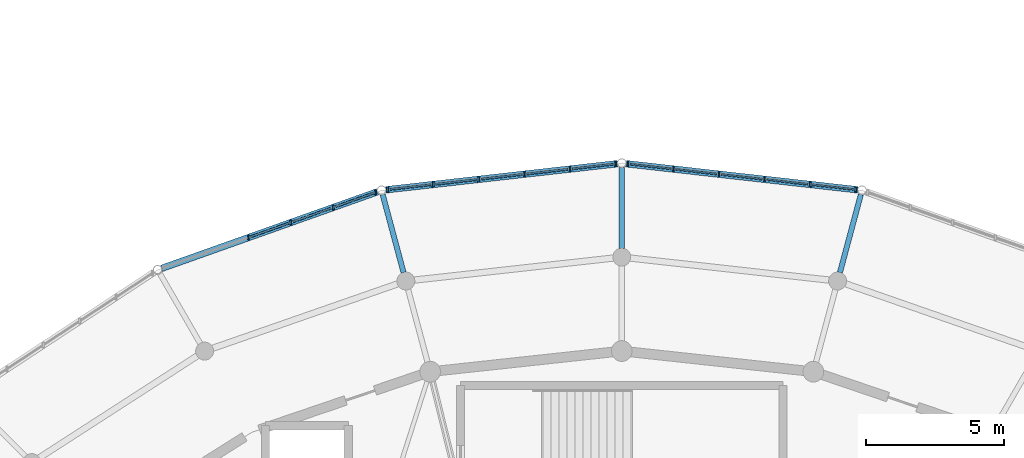
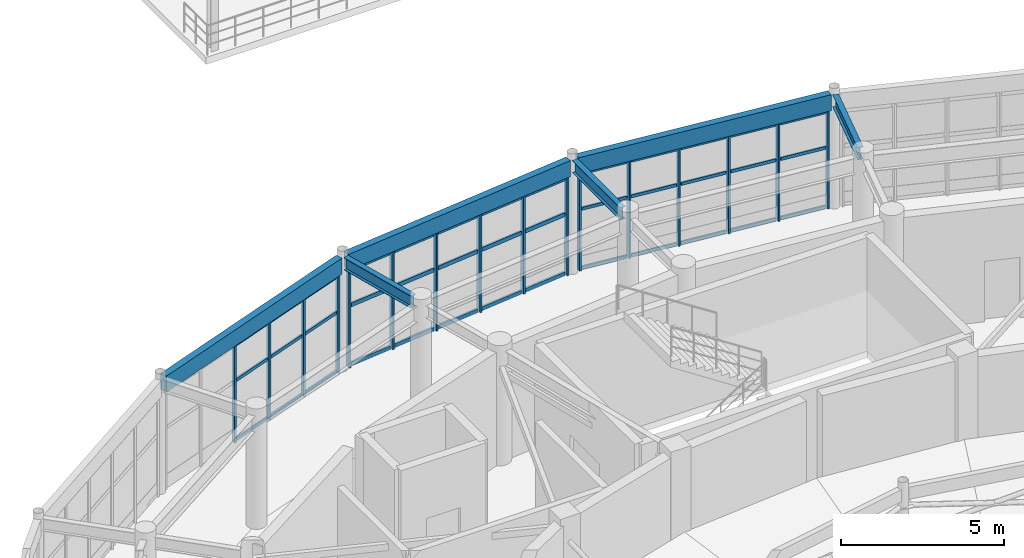
# One storey, part 52 of 112: 55 members, 6 beams, 3 elements without a shape of their own.
"""IFC4 building model written with IfcOpenShell, lengths in metres."""

from ifc_helpers import new_model, si_unit, direction, frame, origin, origin_2d, place, context, subcontext, project, spatial, rectangle, i_section, extrude, material, material_profile, profile_set, type_object, element, aggregate, save


model = new_model("IFC4")

# Units and contexts
model_context = context("Model", 3, precision=1e-05, world=origin(), true_north=direction((0.0, 1.0)))
body_context = subcontext(model_context, "Body", "Model", "MODEL_VIEW")
ifc_project = project(units=[si_unit("LENGTHUNIT", "METRE"), si_unit("AREAUNIT", "SQUARE_METRE"), si_unit("VOLUMEUNIT", "CUBIC_METRE"), si_unit("PLANEANGLEUNIT", "RADIAN"), si_unit("MASSUNIT", "GRAM", prefix="KILO")], contexts=[model_context])

# Site, building, storey
site_placement = place(None, origin())
site = spatial("IfcSite", under=ifc_project, at=site_placement, CompositionType="ELEMENT")
building_placement = place(site_placement, origin())
building = spatial("IfcBuilding", under=site, at=building_placement, Name="Cinderbank Siding Concert Hall", CompositionType="ELEMENT")
storey_placement = place(building_placement, frame((0.0, 0.0, 10.199951171875)))
storey = spatial("IfcBuildingStorey", under=building, at=storey_placement, Name="L03", CompositionType="ELEMENT", Elevation=10.199951171875)

# Beams
ifc_material_1 = material(Name="Structural steel AS/NZS 3679.1 Grade 350 (340 MPa)", Category="steel")
ifc_material_profile_1 = material_profile(ifc_material_1, i_section(OverallWidth=0.19091796875, OverallDepth=0.46044921875, WebThickness=0.010009765625, FlangeThickness=0.01611328125, at=origin_2d()), Name="460UB82.1", Category="LoadBearing")
ifc_profile_set_1 = profile_set([ifc_material_profile_1], Name="Structural steel AS/NZS 3679.1 Grade 350 (340 MPa)")
beam_type_1 = type_object("IfcBeamType", Name="BM-UB460H 460UB82.1", PredefinedType="BEAM", material=ifc_profile_set_1)
for number, where, z_axis, x_axis, name in (
    (1, (129.898193359375, 68.8408203125, 4.0517578125), (0.258897184534, 0.965904885504, 0.0), (-0.965904885504, 0.258897184534, 0.0), "L03 Beam BM-UB460H #633"),
    (2, (122.0, 69.717041015625, 4.0517578125), (0.0, 1.0, 0.0), (-1.0, 0.0, 0.0), "L03 Beam BM-UB460H #634"),
    (3, (114.101806640625, 68.8408203125, 4.0517578125), (-0.258897184534, 0.965904885504, 0.0), (-0.965904885504, -0.258897184534, 0.0), "L03 Beam BM-UB460H #635"),
):
    element("IfcBeam", number, at=place(storey_placement, frame(where, z_axis=z_axis, x_axis=x_axis)), inside=storey, type_object=beam_type_1, Name=name, PredefinedType="BEAM", context=body_context, shape_type="SweptSolid", body=[
        extrude(i_section(OverallWidth=0.19091796875, OverallDepth=0.46044921875, WebThickness=0.010009765625, FlangeThickness=0.01611328125, at=origin_2d()), origin(), (0.0, 0.0, 1.0), 2.928955078125),
    ])

# Curtain wall, members
ifc_material_2 = material(Name="Anodised aluminium alloy 6063-T6", Category="aluminium")
curtain_wall_type_1 = type_object("IfcCurtainWallType", Name="CW-06 Unitised Acoustic Curtain Wall 7600x3800", PredefinedType="NOTDEFINED", material=ifc_material_2)
curtain_wall_1_placement = place(storey_placement, origin())
curtain_wall_1 = element("IfcCurtainWall", 4, at=curtain_wall_1_placement, inside=storey, type_object=curtain_wall_type_1, Name="L03 Curtain Wall CW-06 #30", PredefinedType="NOTDEFINED")
ifc_material_profile_2 = material_profile(ifc_material_2, rectangle(XDim=0.06005859375, YDim=0.159912109375, at=origin_2d()), Name="ALU-MULL-60x160", Category="LoadBearing")
ifc_profile_set_2 = profile_set([ifc_material_profile_2], Name="Anodised aluminium alloy 6063-T6")
member_type_1 = type_object("IfcMemberType", Name="CW-ML1 Mullion 60x160", PredefinedType="MULLION", material=ifc_profile_set_2)
member_1_placement = place(storey_placement, frame((130.470703125, 71.843994140625, 0.0), z_axis=(0.0, 0.0, 1.0), x_axis=(1.0, 0.0, 0.0)))
member_1 = element("IfcMember", 5, at=member_1_placement, type_object=member_type_1, Name="CW-L03-030 Mullion 0", PredefinedType="MULLION", context=body_context, shape_type="SweptSolid", body=[
    extrude(rectangle(XDim=0.06005859375, YDim=0.159912109375, at=origin_2d()), origin(), (0.0, 0.0, 1.0), 3.6669921875),
])
member_2_placement = place(storey_placement, frame((128.82177734375, 72.0302734375, 0.0), z_axis=(0.0, 0.0, 1.0), x_axis=(1.0, 0.0, 0.0)))
member_2 = element("IfcMember", 6, at=member_2_placement, type_object=member_type_1, Name="CW-L03-030 Mullion 1", PredefinedType="MULLION", context=body_context, shape_type="SweptSolid", body=[
    extrude(rectangle(XDim=0.06005859375, YDim=0.159912109375, at=origin_2d()), origin(), (0.0, 0.0, 1.0), 3.6669921875),
])
member_3_placement = place(storey_placement, frame((127.172607421875, 72.21630859375, 0.0), z_axis=(0.0, 0.0, 1.0), x_axis=(1.0, 0.0, 0.0)))
member_3 = element("IfcMember", 7, at=member_3_placement, type_object=member_type_1, Name="CW-L03-030 Mullion 2", PredefinedType="MULLION", context=body_context, shape_type="SweptSolid", body=[
    extrude(rectangle(XDim=0.06005859375, YDim=0.159912109375, at=origin_2d()), origin(), (0.0, 0.0, 1.0), 3.6669921875),
])
member_4_placement = place(storey_placement, frame((125.523681640625, 72.40234375, 0.0), z_axis=(0.0, 0.0, 1.0), x_axis=(1.0, 0.0, 0.0)))
member_4 = element("IfcMember", 8, at=member_4_placement, type_object=member_type_1, Name="CW-L03-030 Mullion 3", PredefinedType="MULLION", context=body_context, shape_type="SweptSolid", body=[
    extrude(rectangle(XDim=0.06005859375, YDim=0.159912109375, at=origin_2d()), origin(), (0.0, 0.0, 1.0), 3.6669921875),
])
member_5_placement = place(storey_placement, frame((123.87451171875, 72.58837890625, 0.0), z_axis=(0.0, 0.0, 1.0), x_axis=(1.0, 0.0, 0.0)))
member_5 = element("IfcMember", 9, at=member_5_placement, type_object=member_type_1, Name="CW-L03-030 Mullion 4", PredefinedType="MULLION", context=body_context, shape_type="SweptSolid", body=[
    extrude(rectangle(XDim=0.06005859375, YDim=0.159912109375, at=origin_2d()), origin(), (0.0, 0.0, 1.0), 3.6669921875),
])
member_6_placement = place(storey_placement, frame((122.2255859375, 72.774658203125, 0.0), z_axis=(0.0, 0.0, 1.0), x_axis=(1.0, 0.0, 0.0)))
member_6 = element("IfcMember", 10, at=member_6_placement, type_object=member_type_1, Name="CW-L03-030 Mullion 5", PredefinedType="MULLION", context=body_context, shape_type="SweptSolid", body=[
    extrude(rectangle(XDim=0.06005859375, YDim=0.159912109375, at=origin_2d()), origin(), (0.0, 0.0, 1.0), 3.6669921875),
])

curtain_wall_type_2 = type_object("IfcCurtainWallType", Name="CW-08 Unitised Acoustic Curtain Wall 6400x3800", PredefinedType="NOTDEFINED", material=ifc_material_2)
curtain_wall_2_placement = place(storey_placement, origin())
curtain_wall_2 = element("IfcCurtainWall", 11, at=curtain_wall_2_placement, inside=storey, type_object=curtain_wall_type_2, Name="L03 Curtain Wall CW-08 #32", PredefinedType="NOTDEFINED")
member_7_placement = place(storey_placement, frame((113.08984375, 71.742919921875, 0.0), z_axis=(0.0, 0.0, 1.0), x_axis=(1.0, 0.0, 0.0)))
member_7 = element("IfcMember", 12, at=member_7_placement, type_object=member_type_1, Name="CW-L03-032 Mullion 0", PredefinedType="MULLION", context=body_context, shape_type="SweptSolid", body=[
    extrude(rectangle(XDim=0.06005859375, YDim=0.159912109375, at=origin_2d()), origin(), (0.0, 0.0, 1.0), 3.6669921875),
])
member_8_placement = place(storey_placement, frame((111.5546875, 71.19775390625, 0.0), z_axis=(0.0, 0.0, 1.0), x_axis=(1.0, 0.0, 0.0)))
member_8 = element("IfcMember", 13, at=member_8_placement, type_object=member_type_1, Name="CW-L03-032 Mullion 1", PredefinedType="MULLION", context=body_context, shape_type="SweptSolid", body=[
    extrude(rectangle(XDim=0.06005859375, YDim=0.159912109375, at=origin_2d()), origin(), (0.0, 0.0, 1.0), 3.6669921875),
])
member_9_placement = place(storey_placement, frame((110.019287109375, 70.652587890625, 0.0), z_axis=(0.0, 0.0, 1.0), x_axis=(1.0, 0.0, 0.0)))
member_9 = element("IfcMember", 14, at=member_9_placement, type_object=member_type_1, Name="CW-L03-032 Mullion 2", PredefinedType="MULLION", context=body_context, shape_type="SweptSolid", body=[
    extrude(rectangle(XDim=0.06005859375, YDim=0.159912109375, at=origin_2d()), origin(), (0.0, 0.0, 1.0), 3.6669921875),
])
member_10_placement = place(storey_placement, frame((108.484375, 70.107666015625, 0.0), z_axis=(0.0, 0.0, 1.0), x_axis=(1.0, 0.0, 0.0)))
member_10 = element("IfcMember", 15, at=member_10_placement, type_object=member_type_1, Name="CW-L03-032 Mullion 3", PredefinedType="MULLION", context=body_context, shape_type="SweptSolid", body=[
    extrude(rectangle(XDim=0.06005859375, YDim=0.159912109375, at=origin_2d()), origin(), (0.0, 0.0, 1.0), 3.6669921875),
])

curtain_wall_type_3 = type_object("IfcCurtainWallType", Name="CW-07 Unitised Acoustic Curtain Wall 7000x3800", PredefinedType="NOTDEFINED", material=ifc_material_2)
curtain_wall_3_placement = place(storey_placement, origin())
curtain_wall_3 = element("IfcCurtainWall", 16, at=curtain_wall_3_placement, inside=storey, type_object=curtain_wall_type_3, Name="L03 Curtain Wall CW-07 #31", PredefinedType="NOTDEFINED")
ifc_material_profile_3 = material_profile(ifc_material_2, rectangle(XDim=0.06494140625, YDim=0.199951171875, at=origin_2d()), Name="ALU-MULL-65x200", Category="LoadBearing")
ifc_profile_set_3 = profile_set([ifc_material_profile_3], Name="Anodised aluminium alloy 6063-T6")
member_type_2 = type_object("IfcMemberType", Name="CW-ML2 Mullion 65x200", PredefinedType="MULLION", material=ifc_profile_set_3)
member_11_placement = place(storey_placement, frame((121.7744140625, 72.774658203125, 0.0), z_axis=(0.0, 0.0, 1.0), x_axis=(1.0, 0.0, 0.0)))
member_11 = element("IfcMember", 17, at=member_11_placement, type_object=member_type_2, Name="CW-L03-031 Mullion 0", PredefinedType="MULLION", context=body_context, shape_type="SweptSolid", body=[
    extrude(rectangle(XDim=0.06494140625, YDim=0.199951171875, at=origin_2d()), origin(), (0.0, 0.0, 1.0), 3.6669921875),
])
member_12_placement = place(storey_placement, frame((120.12548828125, 72.58837890625, 0.0), z_axis=(0.0, 0.0, 1.0), x_axis=(1.0, 0.0, 0.0)))
member_12 = element("IfcMember", 18, at=member_12_placement, type_object=member_type_2, Name="CW-L03-031 Mullion 1", PredefinedType="MULLION", context=body_context, shape_type="SweptSolid", body=[
    extrude(rectangle(XDim=0.06494140625, YDim=0.199951171875, at=origin_2d()), origin(), (0.0, 0.0, 1.0), 3.6669921875),
])
member_13_placement = place(storey_placement, frame((118.476318359375, 72.40234375, 0.0), z_axis=(0.0, 0.0, 1.0), x_axis=(1.0, 0.0, 0.0)))
member_13 = element("IfcMember", 19, at=member_13_placement, type_object=member_type_2, Name="CW-L03-031 Mullion 2", PredefinedType="MULLION", context=body_context, shape_type="SweptSolid", body=[
    extrude(rectangle(XDim=0.06494140625, YDim=0.199951171875, at=origin_2d()), origin(), (0.0, 0.0, 1.0), 3.6669921875),
])
member_14_placement = place(storey_placement, frame((116.827392578125, 72.21630859375, 0.0), z_axis=(0.0, 0.0, 1.0), x_axis=(1.0, 0.0, 0.0)))
member_14 = element("IfcMember", 20, at=member_14_placement, type_object=member_type_2, Name="CW-L03-031 Mullion 3", PredefinedType="MULLION", context=body_context, shape_type="SweptSolid", body=[
    extrude(rectangle(XDim=0.06494140625, YDim=0.199951171875, at=origin_2d()), origin(), (0.0, 0.0, 1.0), 3.6669921875),
])
member_15_placement = place(storey_placement, frame((115.17822265625, 72.0302734375, 0.0), z_axis=(0.0, 0.0, 1.0), x_axis=(1.0, 0.0, 0.0)))
member_15 = element("IfcMember", 21, at=member_15_placement, type_object=member_type_2, Name="CW-L03-031 Mullion 4", PredefinedType="MULLION", context=body_context, shape_type="SweptSolid", body=[
    extrude(rectangle(XDim=0.06494140625, YDim=0.199951171875, at=origin_2d()), origin(), (0.0, 0.0, 1.0), 3.6669921875),
])
member_16_placement = place(storey_placement, frame((113.529296875, 71.843994140625, 0.0), z_axis=(0.0, 0.0, 1.0), x_axis=(1.0, 0.0, 0.0)))
member_16 = element("IfcMember", 22, at=member_16_placement, type_object=member_type_2, Name="CW-L03-031 Mullion 5", PredefinedType="MULLION", context=body_context, shape_type="SweptSolid", body=[
    extrude(rectangle(XDim=0.06494140625, YDim=0.199951171875, at=origin_2d()), origin(), (0.0, 0.0, 1.0), 3.6669921875),
])

# Member
ifc_material_profile_4 = material_profile(ifc_material_2, rectangle(XDim=0.06005859375, YDim=0.1201171875, at=origin_2d()), Name="ALU-TRAN-60x120", Category="LoadBearing")
ifc_profile_set_4 = profile_set([ifc_material_profile_4], Name="Anodised aluminium alloy 6063-T6")
member_type_3 = type_object("IfcMemberType", Name="CW-TR1 Transom 60x120", PredefinedType="USERDEFINED", material=ifc_profile_set_4)
member_17_placement = place(storey_placement, frame((130.38818359375, 71.853515625, 0.06005859375), z_axis=(-0.993690839164, 0.112153984151, 0.0), x_axis=(-0.112153984151, -0.993690839164, 0.0)))
member_17 = element("IfcMember", 23, at=member_17_placement, type_object=member_type_3, Name="CW-L03-030 Transom 0-0", ObjectType="TRANSOM", PredefinedType="USERDEFINED", context=body_context, shape_type="SweptSolid", body=[
    extrude(rectangle(XDim=0.06005859375, YDim=0.1201171875, at=origin_2d()), origin(), (0.0, 0.0, 1.0), 1.493408203125),
])

member_18_placement = place(storey_placement, frame((130.38818359375, 71.853515625, 2.2734375), z_axis=(-0.993690839164, 0.112153984151, 0.0), x_axis=(-0.112153984151, -0.993690839164, 0.0)))
member_18 = element("IfcMember", 24, at=member_18_placement, type_object=member_type_3, Name="CW-L03-030 Transom 0-1", ObjectType="TRANSOM", PredefinedType="USERDEFINED", context=body_context, shape_type="SweptSolid", body=[
    extrude(rectangle(XDim=0.06005859375, YDim=0.1201171875, at=origin_2d()), origin(), (0.0, 0.0, 1.0), 1.493408203125),
])

member_19_placement = place(storey_placement, frame((130.38818359375, 71.853515625, 3.60693359375), z_axis=(-0.993690839164, 0.112153984151, 0.0), x_axis=(-0.112153984151, -0.993690839164, 0.0)))
member_19 = element("IfcMember", 25, at=member_19_placement, type_object=member_type_3, Name="CW-L03-030 Transom 0-2", ObjectType="TRANSOM", PredefinedType="USERDEFINED", context=body_context, shape_type="SweptSolid", body=[
    extrude(rectangle(XDim=0.06005859375, YDim=0.1201171875, at=origin_2d()), origin(), (0.0, 0.0, 1.0), 1.493408203125),
])

member_20_placement = place(storey_placement, frame((128.7392578125, 72.03955078125, 0.06005859375), z_axis=(-0.993692895122, 0.112135766747, 0.0), x_axis=(-0.112135766747, -0.993692895122, 0.0)))
member_20 = element("IfcMember", 26, at=member_20_placement, type_object=member_type_3, Name="CW-L03-030 Transom 1-0", ObjectType="TRANSOM", PredefinedType="USERDEFINED", context=body_context, shape_type="SweptSolid", body=[
    extrude(rectangle(XDim=0.06005859375, YDim=0.1201171875, at=origin_2d()), origin(), (0.0, 0.0, 1.0), 1.49365234375),
])

member_21_placement = place(storey_placement, frame((128.7392578125, 72.03955078125, 2.2734375), z_axis=(-0.993692895122, 0.112135766747, 0.0), x_axis=(-0.112135766747, -0.993692895122, 0.0)))
member_21 = element("IfcMember", 27, at=member_21_placement, type_object=member_type_3, Name="CW-L03-030 Transom 1-1", ObjectType="TRANSOM", PredefinedType="USERDEFINED", context=body_context, shape_type="SweptSolid", body=[
    extrude(rectangle(XDim=0.06005859375, YDim=0.1201171875, at=origin_2d()), origin(), (0.0, 0.0, 1.0), 1.49365234375),
])

member_22_placement = place(storey_placement, frame((128.7392578125, 72.03955078125, 3.60693359375), z_axis=(-0.993692895122, 0.112135766747, 0.0), x_axis=(-0.112135766747, -0.993692895122, 0.0)))
member_22 = element("IfcMember", 28, at=member_22_placement, type_object=member_type_3, Name="CW-L03-030 Transom 1-2", ObjectType="TRANSOM", PredefinedType="USERDEFINED", context=body_context, shape_type="SweptSolid", body=[
    extrude(rectangle(XDim=0.06005859375, YDim=0.1201171875, at=origin_2d()), origin(), (0.0, 0.0, 1.0), 1.49365234375),
])

member_23_placement = place(storey_placement, frame((127.090087890625, 72.2255859375, 0.06005859375), z_axis=(-0.993690839164, 0.112153984151, 0.0), x_axis=(-0.112153984151, -0.993690839164, 0.0)))
member_23 = element("IfcMember", 29, at=member_23_placement, type_object=member_type_3, Name="CW-L03-030 Transom 2-0", ObjectType="TRANSOM", PredefinedType="USERDEFINED", context=body_context, shape_type="SweptSolid", body=[
    extrude(rectangle(XDim=0.06005859375, YDim=0.1201171875, at=origin_2d()), origin(), (0.0, 0.0, 1.0), 1.493408203125),
])

member_24_placement = place(storey_placement, frame((127.090087890625, 72.2255859375, 2.2734375), z_axis=(-0.993690839164, 0.112153984151, 0.0), x_axis=(-0.112153984151, -0.993690839164, 0.0)))
member_24 = element("IfcMember", 30, at=member_24_placement, type_object=member_type_3, Name="CW-L03-030 Transom 2-1", ObjectType="TRANSOM", PredefinedType="USERDEFINED", context=body_context, shape_type="SweptSolid", body=[
    extrude(rectangle(XDim=0.06005859375, YDim=0.1201171875, at=origin_2d()), origin(), (0.0, 0.0, 1.0), 1.493408203125),
])

member_25_placement = place(storey_placement, frame((127.090087890625, 72.2255859375, 3.60693359375), z_axis=(-0.993690839164, 0.112153984151, 0.0), x_axis=(-0.112153984151, -0.993690839164, 0.0)))
member_25 = element("IfcMember", 31, at=member_25_placement, type_object=member_type_3, Name="CW-L03-030 Transom 2-2", ObjectType="TRANSOM", PredefinedType="USERDEFINED", context=body_context, shape_type="SweptSolid", body=[
    extrude(rectangle(XDim=0.06005859375, YDim=0.1201171875, at=origin_2d()), origin(), (0.0, 0.0, 1.0), 1.493408203125),
])

member_26_placement = place(storey_placement, frame((125.441162109375, 72.41162109375, 0.06005859375), z_axis=(-0.993692895122, 0.112135766747, 0.0), x_axis=(-0.112135766747, -0.993692895122, 0.0)))
member_26 = element("IfcMember", 32, at=member_26_placement, type_object=member_type_3, Name="CW-L03-030 Transom 3-0", ObjectType="TRANSOM", PredefinedType="USERDEFINED", context=body_context, shape_type="SweptSolid", body=[
    extrude(rectangle(XDim=0.06005859375, YDim=0.1201171875, at=origin_2d()), origin(), (0.0, 0.0, 1.0), 1.49365234375),
])

member_27_placement = place(storey_placement, frame((125.441162109375, 72.41162109375, 2.2734375), z_axis=(-0.993692895122, 0.112135766747, 0.0), x_axis=(-0.112135766747, -0.993692895122, 0.0)))
member_27 = element("IfcMember", 33, at=member_27_placement, type_object=member_type_3, Name="CW-L03-030 Transom 3-1", ObjectType="TRANSOM", PredefinedType="USERDEFINED", context=body_context, shape_type="SweptSolid", body=[
    extrude(rectangle(XDim=0.06005859375, YDim=0.1201171875, at=origin_2d()), origin(), (0.0, 0.0, 1.0), 1.49365234375),
])

member_28_placement = place(storey_placement, frame((125.441162109375, 72.41162109375, 3.60693359375), z_axis=(-0.993692895122, 0.112135766747, 0.0), x_axis=(-0.112135766747, -0.993692895122, 0.0)))
member_28 = element("IfcMember", 34, at=member_28_placement, type_object=member_type_3, Name="CW-L03-030 Transom 3-2", ObjectType="TRANSOM", PredefinedType="USERDEFINED", context=body_context, shape_type="SweptSolid", body=[
    extrude(rectangle(XDim=0.06005859375, YDim=0.1201171875, at=origin_2d()), origin(), (0.0, 0.0, 1.0), 1.49365234375),
])

member_29_placement = place(storey_placement, frame((123.7919921875, 72.597900390625, 0.06005859375), z_axis=(-0.993709046729, 0.111992546398, 0.0), x_axis=(-0.111992546398, -0.993709046729, 0.0)))
member_29 = element("IfcMember", 35, at=member_29_placement, type_object=member_type_3, Name="CW-L03-030 Transom 4-0", ObjectType="TRANSOM", PredefinedType="USERDEFINED", context=body_context, shape_type="SweptSolid", body=[
    extrude(rectangle(XDim=0.06005859375, YDim=0.1201171875, at=origin_2d()), origin(), (0.0, 0.0, 1.0), 1.4931640625),
])

member_30_placement = place(storey_placement, frame((123.7919921875, 72.597900390625, 2.2734375), z_axis=(-0.993709046729, 0.111992546398, 0.0), x_axis=(-0.111992546398, -0.993709046729, 0.0)))
member_30 = element("IfcMember", 36, at=member_30_placement, type_object=member_type_3, Name="CW-L03-030 Transom 4-1", ObjectType="TRANSOM", PredefinedType="USERDEFINED", context=body_context, shape_type="SweptSolid", body=[
    extrude(rectangle(XDim=0.06005859375, YDim=0.1201171875, at=origin_2d()), origin(), (0.0, 0.0, 1.0), 1.4931640625),
])

member_31_placement = place(storey_placement, frame((123.7919921875, 72.597900390625, 3.60693359375), z_axis=(-0.993709046729, 0.111992546398, 0.0), x_axis=(-0.111992546398, -0.993709046729, 0.0)))
member_31 = element("IfcMember", 37, at=member_31_placement, type_object=member_type_3, Name="CW-L03-030 Transom 4-2", ObjectType="TRANSOM", PredefinedType="USERDEFINED", context=body_context, shape_type="SweptSolid", body=[
    extrude(rectangle(XDim=0.06005859375, YDim=0.1201171875, at=origin_2d()), origin(), (0.0, 0.0, 1.0), 1.4931640625),
])

aggregate(curtain_wall_1, [member_1, member_2, member_3, member_4, member_5, member_6, member_17, member_18, member_19, member_20, member_21, member_22, member_23, member_24, member_25, member_26, member_27, member_28, member_29, member_30, member_31])

member_32_placement = place(storey_placement, frame((113.01318359375, 71.715576171875, 0.06005859375), z_axis=(-0.942395579657, -0.334500480482, 0.0), x_axis=(0.334500480482, -0.942395579657, 0.0)))
member_32 = element("IfcMember", 38, at=member_32_placement, type_object=member_type_3, Name="CW-L03-032 Transom 0-0", ObjectType="TRANSOM", PredefinedType="USERDEFINED", context=body_context, shape_type="SweptSolid", body=[
    extrude(rectangle(XDim=0.06005859375, YDim=0.1201171875, at=origin_2d()), origin(), (0.0, 0.0, 1.0), 1.46630859375),
])

member_33_placement = place(storey_placement, frame((113.01318359375, 71.715576171875, 2.2734375), z_axis=(-0.942395579657, -0.334500480482, 0.0), x_axis=(0.334500480482, -0.942395579657, 0.0)))
member_33 = element("IfcMember", 39, at=member_33_placement, type_object=member_type_3, Name="CW-L03-032 Transom 0-1", ObjectType="TRANSOM", PredefinedType="USERDEFINED", context=body_context, shape_type="SweptSolid", body=[
    extrude(rectangle(XDim=0.06005859375, YDim=0.1201171875, at=origin_2d()), origin(), (0.0, 0.0, 1.0), 1.46630859375),
])

member_34_placement = place(storey_placement, frame((113.01318359375, 71.715576171875, 3.60693359375), z_axis=(-0.942395579657, -0.334500480482, 0.0), x_axis=(0.334500480482, -0.942395579657, 0.0)))
member_34 = element("IfcMember", 40, at=member_34_placement, type_object=member_type_3, Name="CW-L03-032 Transom 0-2", ObjectType="TRANSOM", PredefinedType="USERDEFINED", context=body_context, shape_type="SweptSolid", body=[
    extrude(rectangle(XDim=0.06005859375, YDim=0.1201171875, at=origin_2d()), origin(), (0.0, 0.0, 1.0), 1.46630859375),
])

member_35_placement = place(storey_placement, frame((111.477783203125, 71.17041015625, 0.06005859375), z_axis=(-0.942376945381, -0.334552974602, 0.0), x_axis=(0.334552974602, -0.942376945381, 0.0)))
member_35 = element("IfcMember", 41, at=member_35_placement, type_object=member_type_3, Name="CW-L03-032 Transom 1-0", ObjectType="TRANSOM", PredefinedType="USERDEFINED", context=body_context, shape_type="SweptSolid", body=[
    extrude(rectangle(XDim=0.06005859375, YDim=0.1201171875, at=origin_2d()), origin(), (0.0, 0.0, 1.0), 1.466064453125),
])

member_36_placement = place(storey_placement, frame((111.477783203125, 71.17041015625, 2.2734375), z_axis=(-0.942376945381, -0.334552974602, 0.0), x_axis=(0.334552974602, -0.942376945381, 0.0)))
member_36 = element("IfcMember", 42, at=member_36_placement, type_object=member_type_3, Name="CW-L03-032 Transom 1-1", ObjectType="TRANSOM", PredefinedType="USERDEFINED", context=body_context, shape_type="SweptSolid", body=[
    extrude(rectangle(XDim=0.06005859375, YDim=0.1201171875, at=origin_2d()), origin(), (0.0, 0.0, 1.0), 1.466064453125),
])

member_37_placement = place(storey_placement, frame((111.477783203125, 71.17041015625, 3.60693359375), z_axis=(-0.942376945381, -0.334552974602, 0.0), x_axis=(0.334552974602, -0.942376945381, 0.0)))
member_37 = element("IfcMember", 43, at=member_37_placement, type_object=member_type_3, Name="CW-L03-032 Transom 1-2", ObjectType="TRANSOM", PredefinedType="USERDEFINED", context=body_context, shape_type="SweptSolid", body=[
    extrude(rectangle(XDim=0.06005859375, YDim=0.1201171875, at=origin_2d()), origin(), (0.0, 0.0, 1.0), 1.466064453125),
])

member_38_placement = place(storey_placement, frame((109.942626953125, 70.62548828125, 0.06005859375), z_axis=(-0.942324434865, -0.334700850694, 0.0), x_axis=(0.334700850694, -0.942324434865, 0.0)))
member_38 = element("IfcMember", 44, at=member_38_placement, type_object=member_type_3, Name="CW-L03-032 Transom 2-0", ObjectType="TRANSOM", PredefinedType="USERDEFINED", context=body_context, shape_type="SweptSolid", body=[
    extrude(rectangle(XDim=0.06005859375, YDim=0.1201171875, at=origin_2d()), origin(), (0.0, 0.0, 1.0), 1.466064453125),
])

member_39_placement = place(storey_placement, frame((109.942626953125, 70.62548828125, 2.2734375), z_axis=(-0.942324434865, -0.334700850694, 0.0), x_axis=(0.334700850694, -0.942324434865, 0.0)))
member_39 = element("IfcMember", 45, at=member_39_placement, type_object=member_type_3, Name="CW-L03-032 Transom 2-1", ObjectType="TRANSOM", PredefinedType="USERDEFINED", context=body_context, shape_type="SweptSolid", body=[
    extrude(rectangle(XDim=0.06005859375, YDim=0.1201171875, at=origin_2d()), origin(), (0.0, 0.0, 1.0), 1.466064453125),
])

member_40_placement = place(storey_placement, frame((109.942626953125, 70.62548828125, 3.60693359375), z_axis=(-0.942324434865, -0.334700850694, 0.0), x_axis=(0.334700850694, -0.942324434865, 0.0)))
member_40 = element("IfcMember", 46, at=member_40_placement, type_object=member_type_3, Name="CW-L03-032 Transom 2-2", ObjectType="TRANSOM", PredefinedType="USERDEFINED", context=body_context, shape_type="SweptSolid", body=[
    extrude(rectangle(XDim=0.06005859375, YDim=0.1201171875, at=origin_2d()), origin(), (0.0, 0.0, 1.0), 1.466064453125),
])

aggregate(curtain_wall_2, [member_7, member_8, member_9, member_10, member_32, member_33, member_34, member_35, member_36, member_37, member_38, member_39, member_40])

ifc_material_profile_5 = material_profile(ifc_material_2, rectangle(XDim=0.06494140625, YDim=0.14990234375, at=origin_2d()), Name="ALU-TRAN-65x150", Category="LoadBearing")
ifc_profile_set_5 = profile_set([ifc_material_profile_5], Name="Anodised aluminium alloy 6063-T6")
member_type_4 = type_object("IfcMemberType", Name="CW-TR2 Transom 65x150", PredefinedType="USERDEFINED", material=ifc_profile_set_5)
member_41_placement = place(storey_placement, frame((121.69189453125, 72.76513671875, 0.06005859375), z_axis=(-0.993709046729, -0.111992546398, 0.0), x_axis=(0.111992546398, -0.993709046729, 0.0)))
member_41 = element("IfcMember", 47, at=member_41_placement, type_object=member_type_4, Name="CW-L03-031 Transom 0-0", ObjectType="TRANSOM", PredefinedType="USERDEFINED", context=body_context, shape_type="SweptSolid", body=[
    extrude(rectangle(XDim=0.06494140625, YDim=0.14990234375, at=origin_2d()), origin(), (0.0, 0.0, 1.0), 1.4931640625),
])

member_42_placement = place(storey_placement, frame((121.69189453125, 72.76513671875, 2.2734375), z_axis=(-0.993709046729, -0.111992546398, 0.0), x_axis=(0.111992546398, -0.993709046729, 0.0)))
member_42 = element("IfcMember", 48, at=member_42_placement, type_object=member_type_4, Name="CW-L03-031 Transom 0-1", ObjectType="TRANSOM", PredefinedType="USERDEFINED", context=body_context, shape_type="SweptSolid", body=[
    extrude(rectangle(XDim=0.06494140625, YDim=0.14990234375, at=origin_2d()), origin(), (0.0, 0.0, 1.0), 1.4931640625),
])

member_43_placement = place(storey_placement, frame((121.69189453125, 72.76513671875, 3.60693359375), z_axis=(-0.993709046729, -0.111992546398, 0.0), x_axis=(0.111992546398, -0.993709046729, 0.0)))
member_43 = element("IfcMember", 49, at=member_43_placement, type_object=member_type_4, Name="CW-L03-031 Transom 0-2", ObjectType="TRANSOM", PredefinedType="USERDEFINED", context=body_context, shape_type="SweptSolid", body=[
    extrude(rectangle(XDim=0.06494140625, YDim=0.14990234375, at=origin_2d()), origin(), (0.0, 0.0, 1.0), 1.4931640625),
])

member_44_placement = place(storey_placement, frame((120.04296875, 72.5791015625, 0.06005859375), z_axis=(-0.993692895122, -0.112135766747, 0.0), x_axis=(0.112135766747, -0.993692895122, 0.0)))
member_44 = element("IfcMember", 50, at=member_44_placement, type_object=member_type_4, Name="CW-L03-031 Transom 1-0", ObjectType="TRANSOM", PredefinedType="USERDEFINED", context=body_context, shape_type="SweptSolid", body=[
    extrude(rectangle(XDim=0.06494140625, YDim=0.14990234375, at=origin_2d()), origin(), (0.0, 0.0, 1.0), 1.49365234375),
])

member_45_placement = place(storey_placement, frame((120.04296875, 72.5791015625, 2.2734375), z_axis=(-0.993692895122, -0.112135766747, 0.0), x_axis=(0.112135766747, -0.993692895122, 0.0)))
member_45 = element("IfcMember", 51, at=member_45_placement, type_object=member_type_4, Name="CW-L03-031 Transom 1-1", ObjectType="TRANSOM", PredefinedType="USERDEFINED", context=body_context, shape_type="SweptSolid", body=[
    extrude(rectangle(XDim=0.06494140625, YDim=0.14990234375, at=origin_2d()), origin(), (0.0, 0.0, 1.0), 1.49365234375),
])

member_46_placement = place(storey_placement, frame((120.04296875, 72.5791015625, 3.60693359375), z_axis=(-0.993692895122, -0.112135766747, 0.0), x_axis=(0.112135766747, -0.993692895122, 0.0)))
member_46 = element("IfcMember", 52, at=member_46_placement, type_object=member_type_4, Name="CW-L03-031 Transom 1-2", ObjectType="TRANSOM", PredefinedType="USERDEFINED", context=body_context, shape_type="SweptSolid", body=[
    extrude(rectangle(XDim=0.06494140625, YDim=0.14990234375, at=origin_2d()), origin(), (0.0, 0.0, 1.0), 1.49365234375),
])

member_47_placement = place(storey_placement, frame((118.393798828125, 72.39306640625, 0.06005859375), z_axis=(-0.993690839164, -0.112153984151, 0.0), x_axis=(0.112153984151, -0.993690839164, 0.0)))
member_47 = element("IfcMember", 53, at=member_47_placement, type_object=member_type_4, Name="CW-L03-031 Transom 2-0", ObjectType="TRANSOM", PredefinedType="USERDEFINED", context=body_context, shape_type="SweptSolid", body=[
    extrude(rectangle(XDim=0.06494140625, YDim=0.14990234375, at=origin_2d()), origin(), (0.0, 0.0, 1.0), 1.493408203125),
])

member_48_placement = place(storey_placement, frame((118.393798828125, 72.39306640625, 2.2734375), z_axis=(-0.993690839164, -0.112153984151, 0.0), x_axis=(0.112153984151, -0.993690839164, 0.0)))
member_48 = element("IfcMember", 54, at=member_48_placement, type_object=member_type_4, Name="CW-L03-031 Transom 2-1", ObjectType="TRANSOM", PredefinedType="USERDEFINED", context=body_context, shape_type="SweptSolid", body=[
    extrude(rectangle(XDim=0.06494140625, YDim=0.14990234375, at=origin_2d()), origin(), (0.0, 0.0, 1.0), 1.493408203125),
])

member_49_placement = place(storey_placement, frame((118.393798828125, 72.39306640625, 3.60693359375), z_axis=(-0.993690839164, -0.112153984151, 0.0), x_axis=(0.112153984151, -0.993690839164, 0.0)))
member_49 = element("IfcMember", 55, at=member_49_placement, type_object=member_type_4, Name="CW-L03-031 Transom 2-2", ObjectType="TRANSOM", PredefinedType="USERDEFINED", context=body_context, shape_type="SweptSolid", body=[
    extrude(rectangle(XDim=0.06494140625, YDim=0.14990234375, at=origin_2d()), origin(), (0.0, 0.0, 1.0), 1.493408203125),
])

member_50_placement = place(storey_placement, frame((116.744873046875, 72.20703125, 0.06005859375), z_axis=(-0.993692895122, -0.112135766747, 0.0), x_axis=(0.112135766747, -0.993692895122, 0.0)))
member_50 = element("IfcMember", 56, at=member_50_placement, type_object=member_type_4, Name="CW-L03-031 Transom 3-0", ObjectType="TRANSOM", PredefinedType="USERDEFINED", context=body_context, shape_type="SweptSolid", body=[
    extrude(rectangle(XDim=0.06494140625, YDim=0.14990234375, at=origin_2d()), origin(), (0.0, 0.0, 1.0), 1.49365234375),
])

member_51_placement = place(storey_placement, frame((116.744873046875, 72.20703125, 2.2734375), z_axis=(-0.993692895122, -0.112135766747, 0.0), x_axis=(0.112135766747, -0.993692895122, 0.0)))
member_51 = element("IfcMember", 57, at=member_51_placement, type_object=member_type_4, Name="CW-L03-031 Transom 3-1", ObjectType="TRANSOM", PredefinedType="USERDEFINED", context=body_context, shape_type="SweptSolid", body=[
    extrude(rectangle(XDim=0.06494140625, YDim=0.14990234375, at=origin_2d()), origin(), (0.0, 0.0, 1.0), 1.49365234375),
])

member_52_placement = place(storey_placement, frame((116.744873046875, 72.20703125, 3.60693359375), z_axis=(-0.993692895122, -0.112135766747, 0.0), x_axis=(0.112135766747, -0.993692895122, 0.0)))
member_52 = element("IfcMember", 58, at=member_52_placement, type_object=member_type_4, Name="CW-L03-031 Transom 3-2", ObjectType="TRANSOM", PredefinedType="USERDEFINED", context=body_context, shape_type="SweptSolid", body=[
    extrude(rectangle(XDim=0.06494140625, YDim=0.14990234375, at=origin_2d()), origin(), (0.0, 0.0, 1.0), 1.49365234375),
])

member_53_placement = place(storey_placement, frame((115.095703125, 72.02099609375, 0.06005859375), z_axis=(-0.993690839164, -0.112153984151, 0.0), x_axis=(0.112153984151, -0.993690839164, 0.0)))
member_53 = element("IfcMember", 59, at=member_53_placement, type_object=member_type_4, Name="CW-L03-031 Transom 4-0", ObjectType="TRANSOM", PredefinedType="USERDEFINED", context=body_context, shape_type="SweptSolid", body=[
    extrude(rectangle(XDim=0.06494140625, YDim=0.14990234375, at=origin_2d()), origin(), (0.0, 0.0, 1.0), 1.493408203125),
])

member_54_placement = place(storey_placement, frame((115.095703125, 72.02099609375, 2.2734375), z_axis=(-0.993690839164, -0.112153984151, 0.0), x_axis=(0.112153984151, -0.993690839164, 0.0)))
member_54 = element("IfcMember", 60, at=member_54_placement, type_object=member_type_4, Name="CW-L03-031 Transom 4-1", ObjectType="TRANSOM", PredefinedType="USERDEFINED", context=body_context, shape_type="SweptSolid", body=[
    extrude(rectangle(XDim=0.06494140625, YDim=0.14990234375, at=origin_2d()), origin(), (0.0, 0.0, 1.0), 1.493408203125),
])

member_55_placement = place(storey_placement, frame((115.095703125, 72.02099609375, 3.60693359375), z_axis=(-0.993690839164, -0.112153984151, 0.0), x_axis=(0.112153984151, -0.993690839164, 0.0)))
member_55 = element("IfcMember", 61, at=member_55_placement, type_object=member_type_4, Name="CW-L03-031 Transom 4-2", ObjectType="TRANSOM", PredefinedType="USERDEFINED", context=body_context, shape_type="SweptSolid", body=[
    extrude(rectangle(XDim=0.06494140625, YDim=0.14990234375, at=origin_2d()), origin(), (0.0, 0.0, 1.0), 1.493408203125),
])

aggregate(curtain_wall_3, [member_11, member_12, member_13, member_14, member_15, member_16, member_41, member_42, member_43, member_44, member_45, member_46, member_47, member_48, member_49, member_50, member_51, member_52, member_53, member_54, member_55])

# Beams
ifc_material_3 = material(Name="Spotted gum glulam timber GL18 (42 MPa)", Category="wood")
ifc_material_profile_6 = material_profile(ifc_material_3, rectangle(XDim=0.239990234375, YDim=0.60009765625, at=origin_2d()), Name="GL18-240x600", Category="LoadBearing")
ifc_profile_set_6 = profile_set([ifc_material_profile_6], Name="Spotted gum glulam timber GL18 (42 MPa)")
beam_type_2 = type_object("IfcBeamType", Name="SP-GL600 GL18-240x600", PredefinedType="SPANDREL", material=ifc_profile_set_6)
for number, where, z_axis, x_axis, name in (
    (62, (130.543212890625, 71.8359375, 3.98193359375), (-0.993693273547, 0.112132413281, 0.0), (-0.112132413281, -0.993693273547, 0.0), "L03 Beam SP-GL600 #574"),
    (63, (121.846923828125, 72.78271484375, 3.98193359375), (-0.993693273547, -0.112132413281, 0.0), (0.112132413281, -0.993693273547, 0.0), "L03 Beam SP-GL600 #575"),
):
    element("IfcBeam", number, at=place(storey_placement, frame(where, z_axis=z_axis, x_axis=x_axis)), inside=storey, type_object=beam_type_2, Name=name, PredefinedType="SPANDREL", context=body_context, shape_type="SweptSolid", body=[
        extrude(rectangle(XDim=0.239990234375, YDim=0.60009765625, at=origin_2d()), origin(), (0.0, 0.0, 1.0), 8.443359375),
    ])
beam_placement = place(storey_placement, frame((113.15869140625, 71.76708984375, 3.98193359375), z_axis=(-0.942365164676, -0.334586156924, 0.0), x_axis=(0.334586156924, -0.942365164676, 0.0)))
element("IfcBeam", 64, at=beam_placement, inside=storey, type_object=beam_type_2, Name="L03 Beam SP-GL600 #576", PredefinedType="SPANDREL", context=body_context, shape_type="SweptSolid", body=[
    extrude(rectangle(XDim=0.239990234375, YDim=0.60009765625, at=origin_2d()), origin(), (0.0, 0.0, 1.0), 8.291259765625),
])

save(model, "model.ifc")
